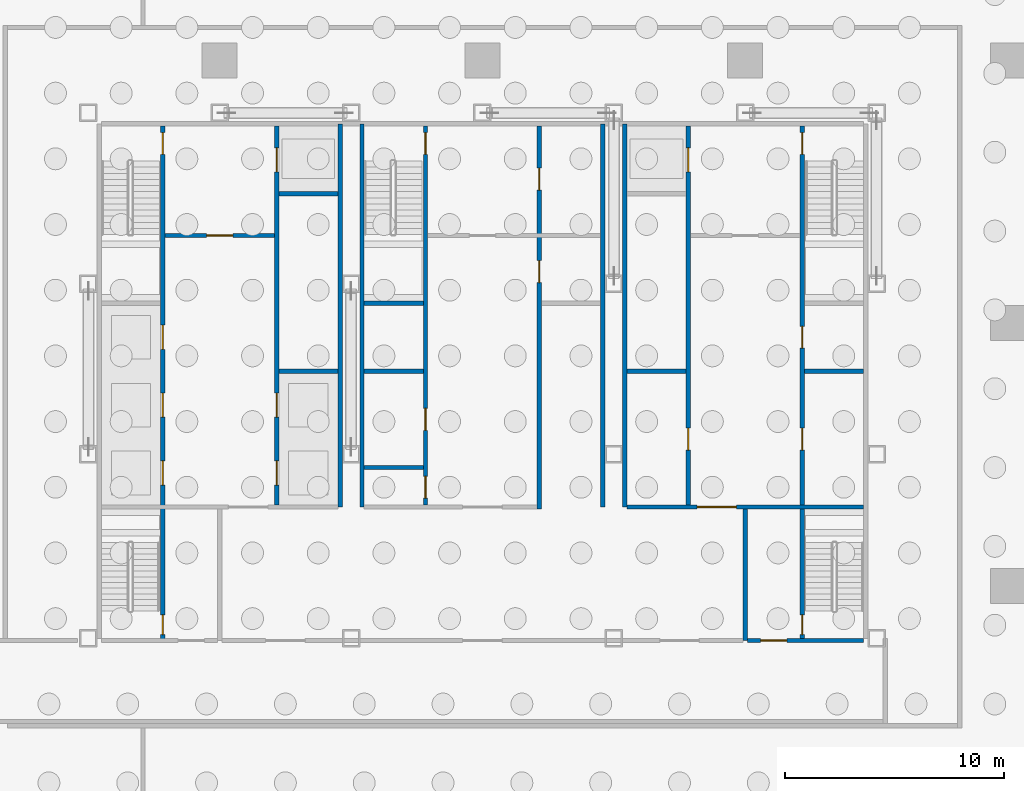
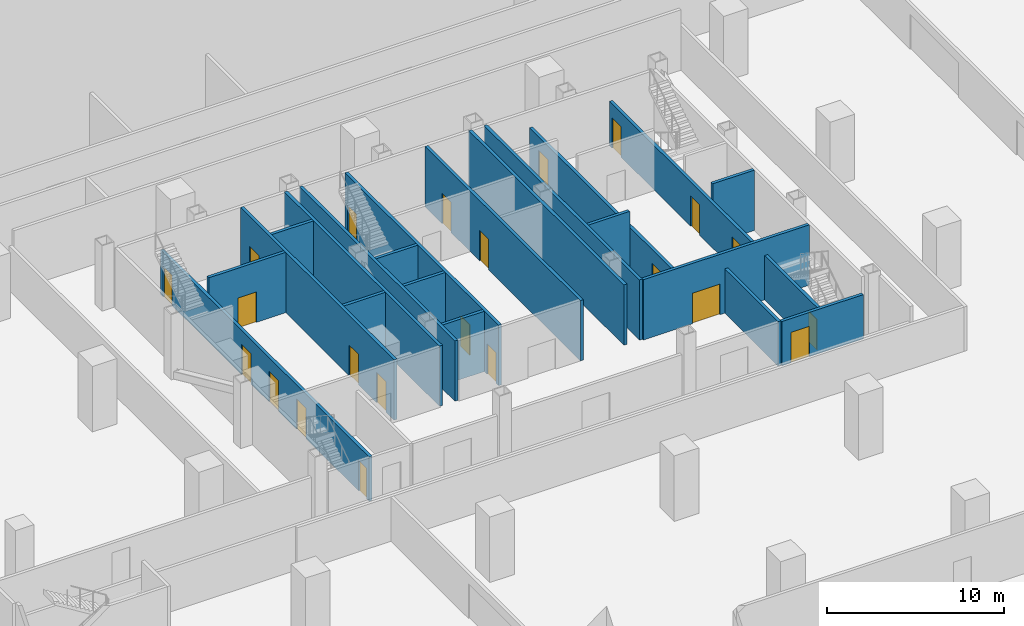
# One storey, part 7 of 18: 22 doors, 21 walls, 22 openings.
"""IFC4 building model written with IfcOpenShell, lengths in metres."""

import ifcopenshell
import ifcopenshell.guid

model = None  # the IFC model being written
_history = None  # IfcOwnerHistory: only IFC2X3 demands one
_inside = {}  # id of a spatial element -> (the spatial element, [elements in it])
_under = {}  # id of a project, library or spatial element -> (it, [spatial elements below it])
_declared = {}  # id of a project -> (the project, [libraries it declares])
_typed = {}  # id of a type object -> (the type object, [elements of that type])
_made_of = {}  # id of a material, layer set ... -> (it, [elements and type objects made of it])


def new_model(schema):
    """Start an empty IFC model of exactly this schema.

    Asked for "IFC4X3", IfcOpenShell would pick the latest addendum, in which some entities
    have other attributes; the version numbers below select the first issue.
    IFC2X3 requires an IfcOwnerHistory on every rooted entity: one is made here for all.
    """
    global model, _history
    if schema == "IFC4X3":
        model = ifcopenshell.file(schema_version=(4, 3, 0, 0))
    else:
        model = ifcopenshell.file(schema=schema)
    _inside.clear()
    _under.clear()
    _declared.clear()
    _typed.clear()
    _made_of.clear()
    _history = None
    if model.schema == "IFC2X3":
        org = make("IfcOrganization", Name="unknown")
        user = make(
            "IfcPersonAndOrganization",
            ThePerson=make("IfcPerson", FamilyName="unknown"),
            TheOrganization=org,
        )
        app = make(
            "IfcApplication",
            ApplicationDeveloper=org,
            Version="unknown",
            ApplicationFullName="unknown",
            ApplicationIdentifier="unknown",
        )
        _history = make(
            "IfcOwnerHistory",
            OwningUser=user,
            OwningApplication=app,
            ChangeAction="ADDED",
            CreationDate=0,
        )
    return model


def make(cls, **values):
    """One entity of the class cls with the attributes given. An attribute that is None is left unset."""
    return model.create_entity(
        cls, **{name: value for name, value in values.items() if value is not None}
    )


def rooted(cls, **values):
    """An entity with a GlobalId (a new one), such as an element, a storey or a relation."""
    return make(cls, GlobalId=ifcopenshell.guid.new(), OwnerHistory=_history, **values)


def si_unit(unit_type, name, prefix=None):
    """IfcSIUnit, for example si_unit("LENGTHUNIT", "METRE", prefix="MILLI")."""
    return make("IfcSIUnit", UnitType=unit_type, Prefix=prefix, Name=name)


def assignment(units):
    """IfcUnitAssignment: the units of a project."""
    return None if units is None else make("IfcUnitAssignment", Units=units)


def point(xyz):
    """IfcCartesianPoint."""
    return None if xyz is None else make("IfcCartesianPoint", Coordinates=xyz)


def direction(xyz):
    """IfcDirection."""
    return None if xyz is None else make("IfcDirection", DirectionRatios=xyz)


def frame(location, z_axis=None, x_axis=None):
    """IfcAxis2Placement3D, a coordinate frame: its origin and axes. An axis left out is left unset."""
    return make(
        "IfcAxis2Placement3D",
        Location=point(location),
        Axis=direction(z_axis),
        RefDirection=direction(x_axis),
    )


def frame_2d(location, x_axis=None):
    """IfcAxis2Placement2D, a coordinate frame in the plane: its origin and x axis."""
    return make(
        "IfcAxis2Placement2D", Location=point(location), RefDirection=direction(x_axis)
    )


def origin():
    """The frame at (0, 0, 0) with its axes left unset."""
    return frame((0.0, 0.0, 0.0))


def place(relative_to, where):
    """IfcLocalPlacement: puts the frame where relative to a parent placement (None: the world)."""
    return make(
        "IfcLocalPlacement", PlacementRelTo=relative_to, RelativePlacement=where
    )


def context(
    kind, dimensions, precision=None, world=None, true_north=None, identifier=None
):
    """IfcGeometricRepresentationContext, for example the 3D "Model" context."""
    return make(
        "IfcGeometricRepresentationContext",
        ContextIdentifier=identifier,
        ContextType=kind,
        CoordinateSpaceDimension=dimensions,
        Precision=precision,
        WorldCoordinateSystem=world,
        TrueNorth=true_north,
    )


def subcontext(parent, identifier, kind, view, scale=None):
    """IfcGeometricRepresentationSubContext, for example "Body" below "Model"."""
    return make(
        "IfcGeometricRepresentationSubContext",
        ContextIdentifier=identifier,
        ContextType=kind,
        ParentContext=parent,
        TargetScale=scale,
        TargetView=view,
    )


def project(units=None, contexts=None):
    """IfcProject with its units and contexts."""
    return rooted(
        "IfcProject",
        Name="project",
        RepresentationContexts=contexts,
        UnitsInContext=assignment(units),
    )


def spatial(cls, under=None, at=None, **own):
    """A site, building, storey or space (cls), placed at a placement, below another one or the project."""
    s = rooted(cls, ObjectPlacement=at, **own)
    if under is not None:
        _under.setdefault(under.id(), (under, []))[1].append(s)
    return s


def profile(cls, at=None, kind="AREA", **sizes):
    """A parametric profile (cls). Its sizes go by their IFC names, for example OverallWidth=200.0."""
    return make(cls, ProfileType=kind, Position=at, **sizes)


def rectangle(**sizes):
    """IfcRectangleProfileDef."""
    return profile("IfcRectangleProfileDef", **sizes)


def extrude(swept, where, along, depth):
    """IfcExtrudedAreaSolid: the profile swept, set in the frame where, extruded along a direction by depth."""
    return make(
        "IfcExtrudedAreaSolid",
        SweptArea=swept,
        Position=where,
        ExtrudedDirection=direction(along),
        Depth=depth,
    )


def shape(context_of_items, identifier, shape_type, items):
    """IfcShapeRepresentation: the items that make up one representation, for example the "Body"."""
    return make(
        "IfcShapeRepresentation",
        ContextOfItems=context_of_items,
        RepresentationIdentifier=identifier,
        RepresentationType=shape_type,
        Items=items,
    )


def material(Name=None, Category=None):
    """IfcMaterial."""
    return make("IfcMaterial", Name=Name, Category=Category)


def layer(
    of_material, thickness, ventilated=None, Name=None, Category=None, Priority=None
):
    """IfcMaterialLayer: one layer of a wall or slab, of a material (None: an air gap)."""
    return make(
        "IfcMaterialLayer",
        Material=of_material,
        LayerThickness=thickness,
        IsVentilated=ventilated,
        Name=Name,
        Category=Category,
        Priority=Priority,
    )


def layer_set(layers, Name=None):
    """IfcMaterialLayerSet."""
    return make("IfcMaterialLayerSet", MaterialLayers=layers, LayerSetName=Name)


def made_of(thing, what):
    """Note that an element or type object is made of a material, layer set ...; save() writes the relation."""
    if what is not None:
        _made_of.setdefault(what.id(), (what, []))[1].append(thing)
    return thing


def type_object(cls, material=None, **own):
    """A type object (cls), such as IfcWallType, which elements share."""
    return made_of(rooted(cls, **own), material)


def element(
    cls,
    number,
    at=None,
    inside=None,
    cuts=None,
    type_object=None,
    material=None,
    context=None,
    identifier="Body",
    shape_type=None,
    held_by="IfcProductDefinitionShape",
    body=None,
    shapes=None,
    **own,
):
    """One element of the class cls, such as IfcWall. Its Tag is "e" and its number.

    at: its placement. inside: the storey or other place that contains it. cuts: it is an
    opening in that element (IfcRelVoidsElement). A single representation is given by context,
    identifier, shape_type and body (its items); several are given by shapes. held_by: the class
    of the entity that holds the representations. save() writes the other relations.
    """
    e = rooted(cls, Tag="e%d" % number, ObjectPlacement=at, **own)
    if body is not None:
        shapes = [shape(context, identifier, shape_type, body)]
    if shapes is not None:
        e.Representation = make(held_by, Representations=shapes)
    if inside is not None:
        _inside.setdefault(inside.id(), (inside, []))[1].append(e)
    if cuts is not None:
        rooted(
            "IfcRelVoidsElement", RelatingBuildingElement=cuts, RelatedOpeningElement=e
        )
    if type_object is not None:
        _typed.setdefault(type_object.id(), (type_object, []))[1].append(e)
    return made_of(e, material)


def fill(opening, filler):
    """IfcRelFillsElement: the door or window that sits in an opening."""
    return rooted(
        "IfcRelFillsElement",
        RelatingOpeningElement=opening,
        RelatedBuildingElement=filler,
    )


def aggregate(whole, parts):
    """IfcRelAggregates: a whole, such as a stair, and the parts it consists of."""
    return rooted("IfcRelAggregates", RelatingObject=whole, RelatedObjects=parts)


def save(model, path):
    """Write the relations noted so far, then the file.

    IfcRelAggregates (storeys below a building ...), IfcRelContainedInSpatialStructure (elements
    in a storey), IfcRelDefinesByType, IfcRelAssociatesMaterial and IfcRelDeclares: one each for
    every whole, place, type object, material and project.
    """
    for whole, parts in _under.values():
        aggregate(whole, parts)
    for where, things in _inside.values():
        rooted(
            "IfcRelContainedInSpatialStructure",
            RelatedElements=things,
            RelatingStructure=where,
        )
    for kind, things in _typed.values():
        rooted("IfcRelDefinesByType", RelatedObjects=things, RelatingType=kind)
    for what, things in _made_of.values():
        rooted("IfcRelAssociatesMaterial", RelatedObjects=things, RelatingMaterial=what)
    for by, libraries in _declared.values():
        rooted("IfcRelDeclares", RelatingContext=by, RelatedDefinitions=libraries)
    model.write(path)


model = new_model("IFC4")

# Units and contexts
model_context = context("Model", 3, precision=1e-05, world=origin(), true_north=direction((0.0, 1.0)))
body_context = subcontext(model_context, "Body", "Model", "MODEL_VIEW")
ifc_project = project(units=[si_unit("LENGTHUNIT", "METRE"), si_unit("AREAUNIT", "SQUARE_METRE"), si_unit("VOLUMEUNIT", "CUBIC_METRE"), si_unit("PLANEANGLEUNIT", "RADIAN"), si_unit("MASSUNIT", "GRAM", prefix="KILO")], contexts=[model_context])

# Site, building, storey
site_placement = place(None, origin())
site = spatial("IfcSite", under=ifc_project, at=site_placement, CompositionType="ELEMENT")
building_placement = place(site_placement, origin())
building = spatial("IfcBuilding", under=site, at=building_placement, Name="Sorahane Residences", CompositionType="ELEMENT")
storey_placement = place(building_placement, frame((0.0, 0.0, -13.5)))
storey = spatial("IfcBuildingStorey", under=building, at=storey_placement, Name="B3", CompositionType="ELEMENT", Elevation=-13.5)

# Walls
ifc_material_1 = material(Name="Concrete C30", Category="concrete")
ifc_layer_1 = layer(ifc_material_1, 0.199951171875)
ifc_layer_set_1 = layer_set([ifc_layer_1], Name="Core face wall 200 EI 180")
wall_type_1 = type_object("IfcWallType", Name="Core face wall 200 EI 180", PredefinedType="SOLIDWALL", material=ifc_layer_set_1)
for number, where, z_axis, x_axis, name in (
    (1, (17.5, 27.60009765625, 0.0), (0.0, 0.0, 1.0), (0.0, 1.0, 0.0), "B3 core face wall"),
    (2, (18.5, 27.60009765625, 0.0), (0.0, 0.0, 1.0), (0.0, 1.0, 0.0), "B3 core face wall"),
    (3, (29.5, 27.60009765625, 0.0), (0.0, 0.0, 1.0), (0.0, 1.0, 0.0), "B3 core face wall"),
    (4, (30.5, 27.60009765625, 0.0), (0.0, 0.0, 1.0), (0.0, 1.0, 0.0), "B3 core face wall"),
):
    element("IfcWall", number, at=place(storey_placement, frame(where, z_axis=z_axis, x_axis=x_axis)), inside=storey, type_object=wall_type_1, Name=name, PredefinedType="SOLIDWALL", context=body_context, shape_type="SweptSolid", body=[
        extrude(rectangle(XDim=17.5, YDim=0.199951171875, at=frame_2d((8.75, 0.0))), origin(), (0.0, 0.0, 1.0), 4.14990234375),
    ])

# Wall, openings, doors
ifc_material_2 = material(Name="Concrete C30", Category="concrete")
ifc_layer_2 = layer(ifc_material_2, 0.199951171875)
ifc_layer_set_2 = layer_set([ifc_layer_2], Name="Front room wall 200 EI 120")
wall_type_2 = type_object("IfcWallType", Name="Front room wall 200 EI 120", PredefinedType="PARTITIONING", material=ifc_layer_set_2)
wall_1_placement = place(storey_placement, frame((26.60009765625, 27.5, 0.0), z_axis=(0.0, 0.0, 1.0), x_axis=(0.0, 1.0, 0.0)))
wall_1 = element("IfcWall", 5, at=wall_1_placement, inside=storey, type_object=wall_type_2, Name="B3 front room wall", PredefinedType="PARTITIONING", context=body_context, shape_type="SweptSolid", body=[
    extrude(rectangle(XDim=17.5, YDim=0.199951171875, at=frame_2d((8.75, 0.0))), origin(), (0.0, 0.0, 1.0), 4.14990234375),
])
opening_1_placement = place(wall_1_placement, frame((10.35009765625, 0.0, 0.0)))
opening_1 = element("IfcOpeningElement", 6, at=opening_1_placement, cuts=wall_1, Name="Opening B3-C29", PredefinedType="OPENING", context=body_context, shape_type="SweptSolid", body=[
    extrude(rectangle(XDim=1.0, YDim=2.10009765625, at=frame_2d((0.5, 1.050048828125))), frame((0.0, 0.10986328125, 0.0), z_axis=(0.0, -1.0, 0.0), x_axis=(1.0, 0.0, 0.0)), (0.0, 0.0, 1.0), 0.219970703125),
])
opening_2_placement = place(wall_1_placement, frame((14.574951171875, 0.0, 0.0)))
opening_2 = element("IfcOpeningElement", 7, at=opening_2_placement, cuts=wall_1, Name="Opening B3-C30", PredefinedType="OPENING", context=body_context, shape_type="SweptSolid", body=[
    extrude(rectangle(XDim=1.0, YDim=2.10009765625, at=frame_2d((0.5, 1.050048828125))), frame((0.0, 0.10986328125, 0.0), z_axis=(0.0, -1.0, 0.0), x_axis=(1.0, 0.0, 0.0)), (0.0, 0.0, 1.0), 0.219970703125),
])
ifc_material_3 = material(Name="Steel", Category="steel")
door_type_1 = type_object("IfcDoorType", Name="Service room door 1000x2100 FD60", OperationType="NOTDEFINED", PredefinedType="DOOR", material=ifc_material_3)
door_1_placement = place(opening_1_placement, frame((1.0, 0.0, 0.0), z_axis=(0.0, 0.0, 1.0), x_axis=(-1.0, 0.0, 0.0)))
door_1 = element("IfcDoor", 8, at=door_1_placement, inside=storey, type_object=door_type_1, Name="Service room door Linen room B3", OperationType="SINGLE_SWING_LEFT", OverallHeight=2.10009765625, OverallWidth=1.0, PredefinedType="DOOR", context=body_context, shape_type="SweptSolid", body=[
    extrude(rectangle(XDim=1.0, YDim=2.10009765625, at=frame_2d((0.5, 1.050048828125))), frame((0.0, 0.02490234375, 0.0), z_axis=(0.0, -1.0, 0.0), x_axis=(1.0, 0.0, 0.0)), (0.0, 0.0, 1.0), 0.050048828125),
])
fill(opening_1, door_1)
door_2_placement = place(opening_2_placement, frame((1.0, 0.0, 0.0), z_axis=(0.0, 0.0, 1.0), x_axis=(-1.0, 0.0, 0.0)))
door_2 = element("IfcDoor", 9, at=door_2_placement, inside=storey, type_object=door_type_1, Name="Service room door Cleaners' store B3", OperationType="SINGLE_SWING_LEFT", OverallHeight=2.10009765625, OverallWidth=1.0, PredefinedType="DOOR", context=body_context, shape_type="SweptSolid", body=[
    extrude(rectangle(XDim=1.0, YDim=2.10009765625, at=frame_2d((0.5, 1.050048828125))), frame((0.0, 0.02490234375, 0.0), z_axis=(0.0, -1.0, 0.0), x_axis=(1.0, 0.0, 0.0)), (0.0, 0.0, 1.0), 0.050048828125),
])
fill(opening_2, door_2)

# Wall
wall_2_placement = place(storey_placement, frame((36.0, 21.5, 0.0), z_axis=(0.0, 0.0, 1.0), x_axis=(0.0, 1.0, 0.0)))
element("IfcWall", 10, at=wall_2_placement, inside=storey, type_object=wall_type_2, Name="B3 front room wall", PredefinedType="PARTITIONING", context=body_context, shape_type="SweptSolid", body=[
    extrude(rectangle(XDim=6.0, YDim=0.199951171875, at=frame_2d((3.0, 0.0))), origin(), (0.0, 0.0, 1.0), 3.050048828125),
])

# Wall, opening, door
wall_3_placement = place(storey_placement, frame((9.5, 40.0, 0.0), z_axis=(0.0, 0.0, 1.0), x_axis=(1.0, 0.0, 0.0)))
wall_3 = element("IfcWall", 11, at=wall_3_placement, inside=storey, type_object=wall_type_2, Name="B3 front room wall", PredefinedType="PARTITIONING", context=body_context, shape_type="SweptSolid", body=[
    extrude(rectangle(XDim=5.0, YDim=0.199951171875, at=frame_2d((2.5, 0.0))), origin(), (0.0, 0.0, 1.0), 4.14990234375),
])
opening_3_placement = place(wall_3_placement, frame((1.89990234375, 0.0, 0.0)))
opening_3 = element("IfcOpeningElement", 12, at=opening_3_placement, cuts=wall_3, Name="Opening B3-C07", PredefinedType="OPENING", context=body_context, shape_type="SweptSolid", body=[
    extrude(rectangle(XDim=1.199951171875, YDim=2.10009765625, at=frame_2d((0.60009765625, 1.050048828125))), frame((0.0, 0.10986328125, 0.0), z_axis=(0.0, -1.0, 0.0), x_axis=(1.0, 0.0, 0.0)), (0.0, 0.0, 1.0), 0.219970703125),
])
ifc_material_4 = material(Name="Steel", Category="steel")
door_type_2 = type_object("IfcDoorType", Name="Front room door 1200x2100 FD120", OperationType="NOTDEFINED", PredefinedType="DOOR", material=ifc_material_4)
door_3_placement = place(opening_3_placement, frame((1.199951171875, 0.0, 0.0), z_axis=(0.0, 0.0, 1.0), x_axis=(-1.0, 0.0, 0.0)))
door_3 = element("IfcDoor", 13, at=door_3_placement, inside=storey, type_object=door_type_2, Name="Front room door Firefighting lobby FF1 front room B3", OperationType="DOUBLE_DOOR_SINGLE_SWING", OverallHeight=2.10009765625, OverallWidth=1.199951171875, PredefinedType="DOOR", context=body_context, shape_type="SweptSolid", body=[
    extrude(rectangle(XDim=1.199951171875, YDim=2.10009765625, at=frame_2d((0.60009765625, 1.050048828125))), frame((0.0, 0.02490234375, 0.0), z_axis=(0.0, -1.0, 0.0), x_axis=(1.0, 0.0, 0.0)), (0.0, 0.0, 1.0), 0.050048828125),
])
fill(opening_3, door_3)

# Wall, openings, doors
ifc_material_5 = material(Name="Concrete C30", Category="concrete")
ifc_layer_3 = layer(ifc_material_5, 0.199951171875)
ifc_layer_set_3 = layer_set([ifc_layer_3], Name="Lift shaft wall 200 EI 120")
wall_type_3 = type_object("IfcWallType", Name="Lift shaft wall 200 EI 120", PredefinedType="SOLIDWALL", material=ifc_layer_set_3)
wall_4_placement = place(storey_placement, frame((14.60009765625, 27.699951171875, 0.0), z_axis=(0.0, 0.0, 1.0), x_axis=(0.0, 1.0, 0.0)))
wall_4 = element("IfcWall", 14, at=wall_4_placement, inside=storey, type_object=wall_type_3, Name="B3 lift shaft wall", PredefinedType="SOLIDWALL", context=body_context, shape_type="SweptSolid", body=[
    extrude(rectangle(XDim=17.300048828125, YDim=0.199951171875, at=frame_2d((8.64990234375, 0.0))), origin(), (0.0, 0.0, 1.0), 4.14990234375),
])
opening_4_placement = place(wall_4_placement, frame((0.89990234375, 0.0, 0.0)))
opening_4 = element("IfcOpeningElement", 15, at=opening_4_placement, cuts=wall_4, Name="Opening B3-C13", PredefinedType="OPENING", context=body_context, shape_type="SweptSolid", body=[
    extrude(rectangle(XDim=1.10009765625, YDim=2.10009765625, at=frame_2d((0.550048828125, 1.050048828125))), frame((0.0, 0.10986328125, 0.0), z_axis=(0.0, -1.0, 0.0), x_axis=(1.0, 0.0, 0.0)), (0.0, 0.0, 1.0), 0.219970703125),
])
opening_5_placement = place(wall_4_placement, frame((4.0, 0.0, 0.0)))
opening_5 = element("IfcOpeningElement", 16, at=opening_5_placement, cuts=wall_4, Name="Opening B3-C14", PredefinedType="OPENING", context=body_context, shape_type="SweptSolid", body=[
    extrude(rectangle(XDim=1.10009765625, YDim=2.10009765625, at=frame_2d((0.550048828125, 1.050048828125))), frame((0.0, 0.10986328125, 0.0), z_axis=(0.0, -1.0, 0.0), x_axis=(1.0, 0.0, 0.0)), (0.0, 0.0, 1.0), 0.219970703125),
])
opening_6_placement = place(wall_4_placement, frame((15.199951171875, 0.0, 0.0)))
opening_6 = element("IfcOpeningElement", 17, at=opening_6_placement, cuts=wall_4, Name="Opening B3-C15", PredefinedType="OPENING", context=body_context, shape_type="SweptSolid", body=[
    extrude(rectangle(XDim=1.10009765625, YDim=2.10009765625, at=frame_2d((0.550048828125, 1.050048828125))), frame((0.0, 0.10986328125, 0.0), z_axis=(0.0, -1.0, 0.0), x_axis=(1.0, 0.0, 0.0)), (0.0, 0.0, 1.0), 0.219970703125),
])
ifc_material_6 = material(Name="Aluminium and stainless steel", Category="steel")
door_type_3 = type_object("IfcDoorType", Name="Lift landing door 1100x2100 E 60", OperationType="NOTDEFINED", PredefinedType="DOOR", material=ifc_material_6)
door_4_placement = place(opening_4_placement, origin())
door_4 = element("IfcDoor", 18, at=door_4_placement, inside=storey, type_object=door_type_3, Name="Lift landing door LR4 B3", OperationType="DOUBLE_DOOR_SLIDING", OverallHeight=2.10009765625, OverallWidth=1.10009765625, PredefinedType="DOOR", context=body_context, shape_type="SweptSolid", body=[
    extrude(rectangle(XDim=1.10009765625, YDim=2.10009765625, at=frame_2d((0.550048828125, 1.050048828125))), frame((0.0, 0.02490234375, 0.0), z_axis=(0.0, -1.0, 0.0), x_axis=(1.0, 0.0, 0.0)), (0.0, 0.0, 1.0), 0.050048828125),
])
fill(opening_4, door_4)
door_5_placement = place(opening_5_placement, origin())
door_5 = element("IfcDoor", 19, at=door_5_placement, inside=storey, type_object=door_type_3, Name="Lift landing door LR5 B3", OperationType="DOUBLE_DOOR_SLIDING", OverallHeight=2.10009765625, OverallWidth=1.10009765625, PredefinedType="DOOR", context=body_context, shape_type="SweptSolid", body=[
    extrude(rectangle(XDim=1.10009765625, YDim=2.10009765625, at=frame_2d((0.550048828125, 1.050048828125))), frame((0.0, 0.02490234375, 0.0), z_axis=(0.0, -1.0, 0.0), x_axis=(1.0, 0.0, 0.0)), (0.0, 0.0, 1.0), 0.050048828125),
])
fill(opening_5, door_5)
door_6_placement = place(opening_6_placement, origin())
door_6 = element("IfcDoor", 20, at=door_6_placement, inside=storey, type_object=door_type_3, Name="Lift landing door FF1 B3", OperationType="DOUBLE_DOOR_SLIDING", OverallHeight=2.10009765625, OverallWidth=1.10009765625, PredefinedType="DOOR", context=body_context, shape_type="SweptSolid", body=[
    extrude(rectangle(XDim=1.10009765625, YDim=2.10009765625, at=frame_2d((0.550048828125, 1.050048828125))), frame((0.0, 0.02490234375, 0.0), z_axis=(0.0, -1.0, 0.0), x_axis=(1.0, 0.0, 0.0)), (0.0, 0.0, 1.0), 0.050048828125),
])
fill(opening_6, door_6)

wall_5_placement = place(storey_placement, frame((33.39990234375, 27.699951171875, 0.0), z_axis=(0.0, 0.0, 1.0), x_axis=(0.0, 1.0, 0.0)))
wall_5 = element("IfcWall", 21, at=wall_5_placement, inside=storey, type_object=wall_type_3, Name="B3 lift shaft wall", PredefinedType="SOLIDWALL", context=body_context, shape_type="SweptSolid", body=[
    extrude(rectangle(XDim=17.300048828125, YDim=0.199951171875, at=frame_2d((8.64990234375, 0.0))), origin(), (0.0, 0.0, 1.0), 3.050048828125),
])
opening_7_placement = place(wall_5_placement, frame((15.199951171875, 0.0, 0.0)))
opening_7 = element("IfcOpeningElement", 22, at=opening_7_placement, cuts=wall_5, Name="Opening B3-C12", PredefinedType="OPENING", context=body_context, shape_type="SweptSolid", body=[
    extrude(rectangle(XDim=1.10009765625, YDim=2.10009765625, at=frame_2d((0.550048828125, 1.050048828125))), frame((0.0, 0.10986328125, 0.0), z_axis=(0.0, -1.0, 0.0), x_axis=(1.0, 0.0, 0.0)), (0.0, 0.0, 1.0), 0.219970703125),
])
opening_8_placement = place(wall_5_placement, frame((2.5, 0.0, 0.0)))
opening_8 = element("IfcOpeningElement", 23, at=opening_8_placement, cuts=wall_5, Name="Opening B3-C23", PredefinedType="OPENING", context=body_context, shape_type="SweptSolid", body=[
    extrude(rectangle(XDim=1.0, YDim=2.10009765625, at=frame_2d((0.5, 1.050048828125))), frame((0.0, 0.10986328125, 0.0), z_axis=(0.0, -1.0, 0.0), x_axis=(1.0, 0.0, 0.0)), (0.0, 0.0, 1.0), 0.219970703125),
])
door_7_placement = place(opening_7_placement, origin())
door_7 = element("IfcDoor", 24, at=door_7_placement, inside=storey, type_object=door_type_3, Name="Lift landing door FF2 B3", OperationType="DOUBLE_DOOR_SLIDING", OverallHeight=2.10009765625, OverallWidth=1.10009765625, PredefinedType="DOOR", context=body_context, shape_type="SweptSolid", body=[
    extrude(rectangle(XDim=1.10009765625, YDim=2.10009765625, at=frame_2d((0.550048828125, 1.050048828125))), frame((0.0, 0.02490234375, 0.0), z_axis=(0.0, -1.0, 0.0), x_axis=(1.0, 0.0, 0.0)), (0.0, 0.0, 1.0), 0.050048828125),
])
fill(opening_7, door_7)
door_8_placement = place(opening_8_placement, origin())
door_8 = element("IfcDoor", 25, at=door_8_placement, inside=storey, type_object=door_type_1, Name="Service room door Reading room B3", OperationType="SINGLE_SWING_RIGHT", OverallHeight=2.10009765625, OverallWidth=1.0, PredefinedType="DOOR", context=body_context, shape_type="SweptSolid", body=[
    extrude(rectangle(XDim=1.0, YDim=2.10009765625, at=frame_2d((0.5, 1.050048828125))), frame((0.0, 0.02490234375, 0.0), z_axis=(0.0, -1.0, 0.0), x_axis=(1.0, 0.0, 0.0)), (0.0, 0.0, 1.0), 0.050048828125),
])
fill(opening_8, door_8)

# Walls
for number, where, z_axis, x_axis, name in (
    (26, (14.699951171875, 33.800048828125, 0.0), (0.0, 0.0, 1.0), (1.0, 0.0, 0.0), "B3 lift shaft wall"),
    (27, (14.699951171875, 41.89990234375, 0.0), (0.0, 0.0, 1.0), (1.0, 0.0, 0.0), "B3 lift shaft wall"),
):
    element("IfcWall", number, at=place(storey_placement, frame(where, z_axis=z_axis, x_axis=x_axis)), inside=storey, type_object=wall_type_3, Name=name, PredefinedType="SOLIDWALL", context=body_context, shape_type="SweptSolid", body=[
        extrude(rectangle(XDim=2.699951171875, YDim=0.199951171875, at=frame_2d((1.35009765625, 0.0))), origin(), (0.0, 0.0, 1.0), 4.14990234375),
    ])
ifc_material_7 = material(Name="Concrete C30", Category="concrete")
ifc_layer_4 = layer(ifc_material_7, 0.199951171875)
ifc_layer_set_4 = layer_set([ifc_layer_4], Name="Service room partition 200 EI 60")
wall_type_4 = type_object("IfcWallType", Name="Service room partition 200 EI 60", PredefinedType="PARTITIONING", material=ifc_layer_set_4)
for number, where, z_axis, x_axis, name in (
    (28, (18.60009765625, 29.39990234375, 0.0), (0.0, 0.0, 1.0), (1.0, 0.0, 0.0), "B3 service room wall"),
    (29, (18.60009765625, 33.800048828125, 0.0), (0.0, 0.0, 1.0), (1.0, 0.0, 0.0), "B3 service room wall"),
    (30, (30.60009765625, 33.800048828125, 0.0), (0.0, 0.0, 1.0), (1.0, 0.0, 0.0), "B3 service room wall"),
    (31, (38.699951171875, 33.800048828125, 0.0), (0.0, 0.0, 1.0), (1.0, 0.0, 0.0), "B3 service room wall"),
):
    element("IfcWall", number, at=place(storey_placement, frame(where, z_axis=z_axis, x_axis=x_axis)), inside=storey, type_object=wall_type_4, Name=name, PredefinedType="PARTITIONING", context=body_context, shape_type="SweptSolid", body=[
        extrude(rectangle(XDim=2.699951171875, YDim=0.199951171875, at=frame_2d((1.35009765625, 0.0))), origin(), (0.0, 0.0, 1.0), 4.14990234375),
    ])

# Wall, openings, doors
ifc_material_8 = material(Name="Concrete C30", Category="concrete")
ifc_layer_5 = layer(ifc_material_8, 0.199951171875)
ifc_layer_set_5 = layer_set([ifc_layer_5], Name="Stair enclosure wall 200 EI 120")
wall_type_5 = type_object("IfcWallType", Name="Stair enclosure wall 200 EI 120", PredefinedType="SOLIDWALL", material=ifc_layer_set_5)
wall_6_placement = place(storey_placement, frame((21.39990234375, 27.699951171875, 0.0), z_axis=(0.0, 0.0, 1.0), x_axis=(0.0, 1.0, 0.0)))
wall_6 = element("IfcWall", 32, at=wall_6_placement, inside=storey, type_object=wall_type_5, Name="B3 stair enclosure wall", PredefinedType="SOLIDWALL", context=body_context, shape_type="SweptSolid", body=[
    extrude(rectangle(XDim=17.300048828125, YDim=0.199951171875, at=frame_2d((8.64990234375, 0.0))), origin(), (0.0, 0.0, 1.0), 4.14990234375),
])
opening_9_placement = place(wall_6_placement, frame((0.300048828125, 0.0, 0.0)))
opening_9 = element("IfcOpeningElement", 33, at=opening_9_placement, cuts=wall_6, Name="Opening B3-C19", PredefinedType="OPENING", context=body_context, shape_type="SweptSolid", body=[
    extrude(rectangle(XDim=1.0, YDim=2.10009765625, at=frame_2d((0.5, 1.050048828125))), frame((0.0, 0.10986328125, 0.0), z_axis=(0.0, -1.0, 0.0), x_axis=(1.0, 0.0, 0.0)), (0.0, 0.0, 1.0), 0.219970703125),
])
opening_10_placement = place(wall_6_placement, frame((3.39990234375, 0.0, 0.0)))
opening_10 = element("IfcOpeningElement", 34, at=opening_10_placement, cuts=wall_6, Name="Opening B3-C20", PredefinedType="OPENING", context=body_context, shape_type="SweptSolid", body=[
    extrude(rectangle(XDim=1.0, YDim=2.10009765625, at=frame_2d((0.5, 1.050048828125))), frame((0.0, 0.10986328125, 0.0), z_axis=(0.0, -1.0, 0.0), x_axis=(1.0, 0.0, 0.0)), (0.0, 0.0, 1.0), 0.219970703125),
])
opening_11_placement = place(wall_6_placement, frame((16.0, 0.0, 0.0)))
opening_11 = element("IfcOpeningElement", 35, at=opening_11_placement, cuts=wall_6, Name="Opening B3-C26", PredefinedType="OPENING", context=body_context, shape_type="SweptSolid", body=[
    extrude(rectangle(XDim=1.0, YDim=2.10009765625, at=frame_2d((0.5, 1.050048828125))), frame((0.0, 0.10986328125, 0.0), z_axis=(0.0, -1.0, 0.0), x_axis=(1.0, 0.0, 0.0)), (0.0, 0.0, 1.0), 0.219970703125),
])
door_9_placement = place(opening_9_placement, origin())
door_9 = element("IfcDoor", 36, at=door_9_placement, inside=storey, type_object=door_type_1, Name="Service room door Tea store B3", OperationType="SINGLE_SWING_RIGHT", OverallHeight=2.10009765625, OverallWidth=1.0, PredefinedType="DOOR", context=body_context, shape_type="SweptSolid", body=[
    extrude(rectangle(XDim=1.0, YDim=2.10009765625, at=frame_2d((0.5, 1.050048828125))), frame((0.0, 0.02490234375, 0.0), z_axis=(0.0, -1.0, 0.0), x_axis=(1.0, 0.0, 0.0)), (0.0, 0.0, 1.0), 0.050048828125),
])
fill(opening_9, door_9)
door_10_placement = place(opening_10_placement, origin())
door_10 = element("IfcDoor", 37, at=door_10_placement, inside=storey, type_object=door_type_1, Name="Service room door Study B3", OperationType="SINGLE_SWING_LEFT", OverallHeight=2.10009765625, OverallWidth=1.0, PredefinedType="DOOR", context=body_context, shape_type="SweptSolid", body=[
    extrude(rectangle(XDim=1.0, YDim=2.10009765625, at=frame_2d((0.5, 1.050048828125))), frame((0.0, 0.02490234375, 0.0), z_axis=(0.0, -1.0, 0.0), x_axis=(1.0, 0.0, 0.0)), (0.0, 0.0, 1.0), 0.050048828125),
])
fill(opening_10, door_10)
ifc_material_9 = material(Name="Steel", Category="steel")
door_type_4 = type_object("IfcDoorType", Name="Stair door 1000x2100 FD120", OperationType="NOTDEFINED", PredefinedType="DOOR", material=ifc_material_9)
door_11_placement = place(opening_11_placement, origin())
door_11 = element("IfcDoor", 38, at=door_11_placement, inside=storey, type_object=door_type_4, Name="Stair door S3 B3", OperationType="SINGLE_SWING_LEFT", OverallHeight=2.10009765625, OverallWidth=1.0, PredefinedType="DOOR", context=body_context, shape_type="SweptSolid", body=[
    extrude(rectangle(XDim=1.0, YDim=2.10009765625, at=frame_2d((0.5, 1.050048828125))), frame((0.0, 0.02490234375, 0.0), z_axis=(0.0, -1.0, 0.0), x_axis=(1.0, 0.0, 0.0)), (0.0, 0.0, 1.0), 0.050048828125),
])
fill(opening_11, door_11)

wall_7_placement = place(storey_placement, frame((38.60009765625, 21.5, 0.0), z_axis=(0.0, 0.0, 1.0), x_axis=(0.0, 1.0, 0.0)))
wall_7 = element("IfcWall", 39, at=wall_7_placement, inside=storey, type_object=wall_type_5, Name="B3 stair enclosure wall", PredefinedType="SOLIDWALL", context=body_context, shape_type="SweptSolid", body=[
    extrude(rectangle(XDim=23.5, YDim=0.199951171875, at=frame_2d((11.75, 0.0))), origin(), (0.0, 0.0, 1.0), 3.050048828125),
])
opening_12_placement = place(wall_7_placement, frame((8.699951171875, 0.0, 0.0)))
opening_12 = element("IfcOpeningElement", 40, at=opening_12_placement, cuts=wall_7, Name="Opening B3-C21", PredefinedType="OPENING", context=body_context, shape_type="SweptSolid", body=[
    extrude(rectangle(XDim=1.0, YDim=2.10009765625, at=frame_2d((0.5, 1.050048828125))), frame((0.0, 0.10986328125, 0.0), z_axis=(0.0, -1.0, 0.0), x_axis=(1.0, 0.0, 0.0)), (0.0, 0.0, 1.0), 0.219970703125),
])
opening_13_placement = place(wall_7_placement, frame((13.35009765625, 0.0, 0.0)))
opening_13 = element("IfcOpeningElement", 41, at=opening_13_placement, cuts=wall_7, Name="Opening B3-C22", PredefinedType="OPENING", context=body_context, shape_type="SweptSolid", body=[
    extrude(rectangle(XDim=1.0, YDim=2.10009765625, at=frame_2d((0.5, 1.050048828125))), frame((0.0, 0.10986328125, 0.0), z_axis=(0.0, -1.0, 0.0), x_axis=(1.0, 0.0, 0.0)), (0.0, 0.0, 1.0), 0.219970703125),
])
opening_14_placement = place(wall_7_placement, frame((22.199951171875, 0.0, 0.0)))
opening_14 = element("IfcOpeningElement", 42, at=opening_14_placement, cuts=wall_7, Name="Opening B3-C25", PredefinedType="OPENING", context=body_context, shape_type="SweptSolid", body=[
    extrude(rectangle(XDim=1.0, YDim=2.10009765625, at=frame_2d((0.5, 1.050048828125))), frame((0.0, 0.10986328125, 0.0), z_axis=(0.0, -1.0, 0.0), x_axis=(1.0, 0.0, 0.0)), (0.0, 0.0, 1.0), 0.219970703125),
])
opening_15_placement = place(wall_7_placement, frame((0.27490234375, 0.0, 0.0)))
opening_15 = element("IfcOpeningElement", 43, at=opening_15_placement, cuts=wall_7, Name="Opening B3-C28", PredefinedType="OPENING", context=body_context, shape_type="SweptSolid", body=[
    extrude(rectangle(XDim=0.89990234375, YDim=2.10009765625, at=frame_2d((0.449951171875, 1.050048828125))), frame((0.0, 0.10986328125, 0.0), z_axis=(0.0, -1.0, 0.0), x_axis=(1.0, 0.0, 0.0)), (0.0, 0.0, 1.0), 0.219970703125),
])
door_12_placement = place(opening_12_placement, frame((1.0, 0.0, 0.0), z_axis=(0.0, 0.0, 1.0), x_axis=(-1.0, 0.0, 0.0)))
door_12 = element("IfcDoor", 44, at=door_12_placement, inside=storey, type_object=door_type_1, Name="Service room door Reading room B3", OperationType="SINGLE_SWING_RIGHT", OverallHeight=2.10009765625, OverallWidth=1.0, PredefinedType="DOOR", context=body_context, shape_type="SweptSolid", body=[
    extrude(rectangle(XDim=1.0, YDim=2.10009765625, at=frame_2d((0.5, 1.050048828125))), frame((0.0, 0.02490234375, 0.0), z_axis=(0.0, -1.0, 0.0), x_axis=(1.0, 0.0, 0.0)), (0.0, 0.0, 1.0), 0.050048828125),
])
fill(opening_12, door_12)
door_13_placement = place(opening_13_placement, frame((1.0, 0.0, 0.0), z_axis=(0.0, 0.0, 1.0), x_axis=(-1.0, 0.0, 0.0)))
door_13 = element("IfcDoor", 45, at=door_13_placement, inside=storey, type_object=door_type_1, Name="Service room door Reading room B3", OperationType="SINGLE_SWING_LEFT", OverallHeight=2.10009765625, OverallWidth=1.0, PredefinedType="DOOR", context=body_context, shape_type="SweptSolid", body=[
    extrude(rectangle(XDim=1.0, YDim=2.10009765625, at=frame_2d((0.5, 1.050048828125))), frame((0.0, 0.02490234375, 0.0), z_axis=(0.0, -1.0, 0.0), x_axis=(1.0, 0.0, 0.0)), (0.0, 0.0, 1.0), 0.050048828125),
])
fill(opening_13, door_13)
door_14_placement = place(opening_14_placement, frame((1.0, 0.0, 0.0), z_axis=(0.0, 0.0, 1.0), x_axis=(-1.0, 0.0, 0.0)))
door_14 = element("IfcDoor", 46, at=door_14_placement, inside=storey, type_object=door_type_4, Name="Stair door S2 B3", OperationType="SINGLE_SWING_LEFT", OverallHeight=2.10009765625, OverallWidth=1.0, PredefinedType="DOOR", context=body_context, shape_type="SweptSolid", body=[
    extrude(rectangle(XDim=1.0, YDim=2.10009765625, at=frame_2d((0.5, 1.050048828125))), frame((0.0, 0.02490234375, 0.0), z_axis=(0.0, -1.0, 0.0), x_axis=(1.0, 0.0, 0.0)), (0.0, 0.0, 1.0), 0.050048828125),
])
fill(opening_14, door_14)
ifc_material_10 = material(Name="Steel", Category="steel")
door_type_5 = type_object("IfcDoorType", Name="Stair door 900x2100 FD120", OperationType="NOTDEFINED", PredefinedType="DOOR", material=ifc_material_10)
door_15_placement = place(opening_15_placement, frame((0.89990234375, 0.0, 0.0), z_axis=(0.0, 0.0, 1.0), x_axis=(-1.0, 0.0, 0.0)))
door_15 = element("IfcDoor", 47, at=door_15_placement, inside=storey, type_object=door_type_5, Name="Stair door S5 B3", OperationType="SINGLE_SWING_LEFT", OverallHeight=2.10009765625, OverallWidth=0.89990234375, PredefinedType="DOOR", context=body_context, shape_type="SweptSolid", body=[
    extrude(rectangle(XDim=0.89990234375, YDim=2.10009765625, at=frame_2d((0.449951171875, 1.050048828125))), frame((0.0, 0.02490234375, 0.0), z_axis=(0.0, -1.0, 0.0), x_axis=(1.0, 0.0, 0.0)), (0.0, 0.0, 1.0), 0.050048828125),
])
fill(opening_15, door_15)

wall_8_placement = place(storey_placement, frame((9.39990234375, 21.5, 0.0), z_axis=(0.0, 0.0, 1.0), x_axis=(0.0, 1.0, 0.0)))
wall_8 = element("IfcWall", 48, at=wall_8_placement, inside=storey, type_object=wall_type_5, Name="B3 stair enclosure wall", PredefinedType="SOLIDWALL", context=body_context, shape_type="SweptSolid", body=[
    extrude(rectangle(XDim=23.5, YDim=0.199951171875, at=frame_2d((11.75, 0.0))), origin(), (0.0, 0.0, 1.0), 3.050048828125),
])
opening_16_placement = place(wall_8_placement, frame((7.10009765625, 0.0, 0.0)))
opening_16 = element("IfcOpeningElement", 49, at=opening_16_placement, cuts=wall_8, Name="Opening B3-C16", PredefinedType="OPENING", context=body_context, shape_type="SweptSolid", body=[
    extrude(rectangle(XDim=1.10009765625, YDim=2.10009765625, at=frame_2d((0.550048828125, 1.050048828125))), frame((0.0, 0.10986328125, 0.0), z_axis=(0.0, -1.0, 0.0), x_axis=(1.0, 0.0, 0.0)), (0.0, 0.0, 1.0), 0.219970703125),
])
opening_17_placement = place(wall_8_placement, frame((10.199951171875, 0.0, 0.0)))
opening_17 = element("IfcOpeningElement", 50, at=opening_17_placement, cuts=wall_8, Name="Opening B3-C17", PredefinedType="OPENING", context=body_context, shape_type="SweptSolid", body=[
    extrude(rectangle(XDim=1.10009765625, YDim=2.10009765625, at=frame_2d((0.550048828125, 1.050048828125))), frame((0.0, 0.10986328125, 0.0), z_axis=(0.0, -1.0, 0.0), x_axis=(1.0, 0.0, 0.0)), (0.0, 0.0, 1.0), 0.219970703125),
])
opening_18_placement = place(wall_8_placement, frame((13.300048828125, 0.0, 0.0)))
opening_18 = element("IfcOpeningElement", 51, at=opening_18_placement, cuts=wall_8, Name="Opening B3-C18", PredefinedType="OPENING", context=body_context, shape_type="SweptSolid", body=[
    extrude(rectangle(XDim=1.10009765625, YDim=2.10009765625, at=frame_2d((0.550048828125, 1.050048828125))), frame((0.0, 0.10986328125, 0.0), z_axis=(0.0, -1.0, 0.0), x_axis=(1.0, 0.0, 0.0)), (0.0, 0.0, 1.0), 0.219970703125),
])
opening_19_placement = place(wall_8_placement, frame((22.199951171875, 0.0, 0.0)))
opening_19 = element("IfcOpeningElement", 52, at=opening_19_placement, cuts=wall_8, Name="Opening B3-C24", PredefinedType="OPENING", context=body_context, shape_type="SweptSolid", body=[
    extrude(rectangle(XDim=1.0, YDim=2.10009765625, at=frame_2d((0.5, 1.050048828125))), frame((0.0, 0.10986328125, 0.0), z_axis=(0.0, -1.0, 0.0), x_axis=(1.0, 0.0, 0.0)), (0.0, 0.0, 1.0), 0.219970703125),
])
opening_20_placement = place(wall_8_placement, frame((0.27490234375, 0.0, 0.0)))
opening_20 = element("IfcOpeningElement", 53, at=opening_20_placement, cuts=wall_8, Name="Opening B3-C27", PredefinedType="OPENING", context=body_context, shape_type="SweptSolid", body=[
    extrude(rectangle(XDim=0.89990234375, YDim=2.10009765625, at=frame_2d((0.449951171875, 1.050048828125))), frame((0.0, 0.10986328125, 0.0), z_axis=(0.0, -1.0, 0.0), x_axis=(1.0, 0.0, 0.0)), (0.0, 0.0, 1.0), 0.219970703125),
])
door_16_placement = place(opening_16_placement, origin())
door_16 = element("IfcDoor", 54, at=door_16_placement, inside=storey, type_object=door_type_3, Name="Lift landing door LR1 B3", OperationType="DOUBLE_DOOR_SLIDING", OverallHeight=2.10009765625, OverallWidth=1.10009765625, PredefinedType="DOOR", context=body_context, shape_type="SweptSolid", body=[
    extrude(rectangle(XDim=1.10009765625, YDim=2.10009765625, at=frame_2d((0.550048828125, 1.050048828125))), frame((0.0, 0.02490234375, 0.0), z_axis=(0.0, -1.0, 0.0), x_axis=(1.0, 0.0, 0.0)), (0.0, 0.0, 1.0), 0.050048828125),
])
fill(opening_16, door_16)
door_17_placement = place(opening_17_placement, origin())
door_17 = element("IfcDoor", 55, at=door_17_placement, inside=storey, type_object=door_type_3, Name="Lift landing door LR2 B3", OperationType="DOUBLE_DOOR_SLIDING", OverallHeight=2.10009765625, OverallWidth=1.10009765625, PredefinedType="DOOR", context=body_context, shape_type="SweptSolid", body=[
    extrude(rectangle(XDim=1.10009765625, YDim=2.10009765625, at=frame_2d((0.550048828125, 1.050048828125))), frame((0.0, 0.02490234375, 0.0), z_axis=(0.0, -1.0, 0.0), x_axis=(1.0, 0.0, 0.0)), (0.0, 0.0, 1.0), 0.050048828125),
])
fill(opening_17, door_17)
door_18_placement = place(opening_18_placement, origin())
door_18 = element("IfcDoor", 56, at=door_18_placement, inside=storey, type_object=door_type_3, Name="Lift landing door LR3 B3", OperationType="DOUBLE_DOOR_SLIDING", OverallHeight=2.10009765625, OverallWidth=1.10009765625, PredefinedType="DOOR", context=body_context, shape_type="SweptSolid", body=[
    extrude(rectangle(XDim=1.10009765625, YDim=2.10009765625, at=frame_2d((0.550048828125, 1.050048828125))), frame((0.0, 0.02490234375, 0.0), z_axis=(0.0, -1.0, 0.0), x_axis=(1.0, 0.0, 0.0)), (0.0, 0.0, 1.0), 0.050048828125),
])
fill(opening_18, door_18)
door_19_placement = place(opening_19_placement, origin())
door_19 = element("IfcDoor", 57, at=door_19_placement, inside=storey, type_object=door_type_4, Name="Stair door S1 B3", OperationType="SINGLE_SWING_LEFT", OverallHeight=2.10009765625, OverallWidth=1.0, PredefinedType="DOOR", context=body_context, shape_type="SweptSolid", body=[
    extrude(rectangle(XDim=1.0, YDim=2.10009765625, at=frame_2d((0.5, 1.050048828125))), frame((0.0, 0.02490234375, 0.0), z_axis=(0.0, -1.0, 0.0), x_axis=(1.0, 0.0, 0.0)), (0.0, 0.0, 1.0), 0.050048828125),
])
fill(opening_19, door_19)
door_20_placement = place(opening_20_placement, origin())
door_20 = element("IfcDoor", 58, at=door_20_placement, inside=storey, type_object=door_type_5, Name="Stair door S4 B3", OperationType="SINGLE_SWING_LEFT", OverallHeight=2.10009765625, OverallWidth=0.89990234375, PredefinedType="DOOR", context=body_context, shape_type="SweptSolid", body=[
    extrude(rectangle(XDim=0.89990234375, YDim=2.10009765625, at=frame_2d((0.449951171875, 1.050048828125))), frame((0.0, 0.02490234375, 0.0), z_axis=(0.0, -1.0, 0.0), x_axis=(1.0, 0.0, 0.0)), (0.0, 0.0, 1.0), 0.050048828125),
])
fill(opening_20, door_20)

# Wall, opening, door
wall_9_placement = place(storey_placement, frame((36.10009765625, 21.5, 0.0), z_axis=(0.0, 0.0, 1.0), x_axis=(1.0, 0.0, 0.0)))
wall_9 = element("IfcWall", 59, at=wall_9_placement, inside=storey, type_object=wall_type_5, Name="B3 stair enclosure wall", PredefinedType="SOLIDWALL", context=body_context, shape_type="SweptSolid", body=[
    extrude(rectangle(XDim=5.2998046875, YDim=0.199951171875, at=frame_2d((2.64990234375, 0.0))), origin(), (0.0, 0.0, 1.0), 3.050048828125),
])
opening_21_placement = place(wall_9_placement, frame((0.60009765625, 0.0, 0.0)))
opening_21 = element("IfcOpeningElement", 60, at=opening_21_placement, cuts=wall_9, Name="Opening B3-C05", PredefinedType="OPENING", context=body_context, shape_type="SweptSolid", body=[
    extrude(rectangle(XDim=1.199951171875, YDim=2.10009765625, at=frame_2d((0.60009765625, 1.050048828125))), frame((0.0, 0.10986328125, 0.0), z_axis=(0.0, -1.0, 0.0), x_axis=(1.0, 0.0, 0.0)), (0.0, 0.0, 1.0), 0.219970703125),
])
ifc_material_11 = material(Name="Steel", Category="steel")
door_type_6 = type_object("IfcDoorType", Name="Stair front room door 1200x2100 FD120", OperationType="NOTDEFINED", PredefinedType="DOOR", material=ifc_material_11)
door_21_placement = place(opening_21_placement, frame((1.199951171875, 0.0, 0.0), z_axis=(0.0, 0.0, 1.0), x_axis=(-1.0, 0.0, 0.0)))
door_21 = element("IfcDoor", 61, at=door_21_placement, inside=storey, type_object=door_type_6, Name="Stair front room door Stair S5 front room B3", OperationType="SINGLE_SWING_RIGHT", OverallHeight=2.10009765625, OverallWidth=1.199951171875, PredefinedType="DOOR", context=body_context, shape_type="SweptSolid", body=[
    extrude(rectangle(XDim=1.199951171875, YDim=2.10009765625, at=frame_2d((0.60009765625, 1.050048828125))), frame((0.0, 0.02490234375, 0.0), z_axis=(0.0, -1.0, 0.0), x_axis=(1.0, 0.0, 0.0)), (0.0, 0.0, 1.0), 0.050048828125),
])
fill(opening_21, door_21)

wall_10_placement = place(storey_placement, frame((30.60009765625, 27.60009765625, 0.0), z_axis=(0.0, 0.0, 1.0), x_axis=(1.0, 0.0, 0.0)))
wall_10 = element("IfcWall", 62, at=wall_10_placement, inside=storey, type_object=wall_type_5, Name="B3 stair enclosure wall", PredefinedType="SOLIDWALL", context=body_context, shape_type="SweptSolid", body=[
    extrude(rectangle(XDim=10.7998046875, YDim=0.199951171875, at=frame_2d((5.39990234375, 0.0))), origin(), (0.0, 0.0, 1.0), 4.14990234375),
])
opening_22_placement = place(wall_10_placement, frame((3.199951171875, 0.0, 0.0)))
opening_22 = element("IfcOpeningElement", 63, at=opening_22_placement, cuts=wall_10, Name="Opening B3-C10", PredefinedType="OPENING", context=body_context, shape_type="SweptSolid", body=[
    extrude(rectangle(XDim=1.800048828125, YDim=2.10009765625, at=frame_2d((0.89990234375, 1.050048828125))), frame((0.0, 0.10986328125, 0.0), z_axis=(0.0, -1.0, 0.0), x_axis=(1.0, 0.0, 0.0)), (0.0, 0.0, 1.0), 0.219970703125),
])
ifc_material_12 = material(Name="Steel", Category="steel")
door_type_7 = type_object("IfcDoorType", Name="Waiting hall door 1800x2100 FD60", OperationType="NOTDEFINED", PredefinedType="DOOR", material=ifc_material_12)
door_22_placement = place(opening_22_placement, frame((1.800048828125, 0.0, 0.0), z_axis=(0.0, 0.0, 1.0), x_axis=(-1.0, 0.0, 0.0)))
door_22 = element("IfcDoor", 64, at=door_22_placement, inside=storey, type_object=door_type_7, Name="Waiting hall door High-rise lift lobby B3", OperationType="SINGLE_SWING_LEFT", OverallHeight=2.10009765625, OverallWidth=1.800048828125, PredefinedType="DOOR", context=body_context, shape_type="SweptSolid", body=[
    extrude(rectangle(XDim=1.800048828125, YDim=2.10009765625, at=frame_2d((0.89990234375, 1.050048828125))), frame((0.0, 0.02490234375, 0.0), z_axis=(0.0, -1.0, 0.0), x_axis=(1.0, 0.0, 0.0)), (0.0, 0.0, 1.0), 0.050048828125),
])
fill(opening_22, door_22)

# Wall
wall_11_placement = place(storey_placement, frame((18.60009765625, 36.89990234375, 0.0), z_axis=(0.0, 0.0, 1.0), x_axis=(1.0, 0.0, 0.0)))
element("IfcWall", 65, at=wall_11_placement, inside=storey, type_object=wall_type_5, Name="B3 stair enclosure wall", PredefinedType="SOLIDWALL", context=body_context, shape_type="SweptSolid", body=[
    extrude(rectangle(XDim=2.699951171875, YDim=0.199951171875, at=frame_2d((1.35009765625, 0.0))), origin(), (0.0, 0.0, 1.0), 4.14990234375),
])

save(model, "model.ifc")
